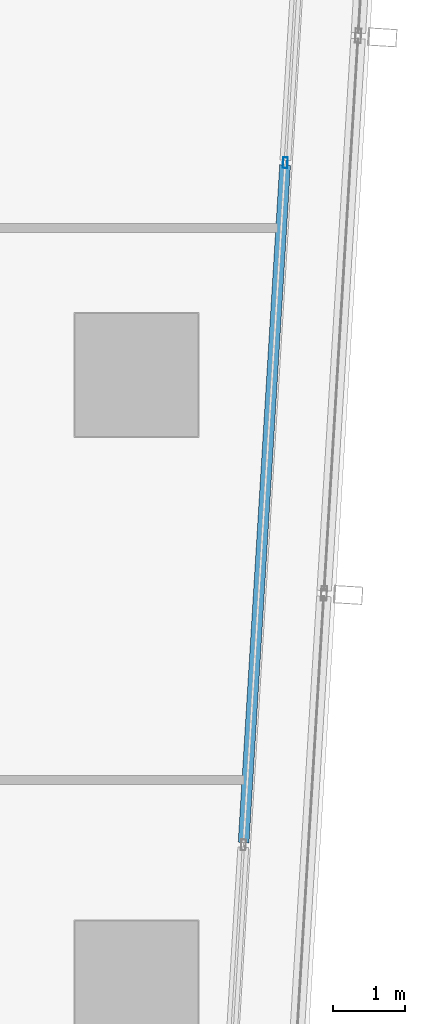
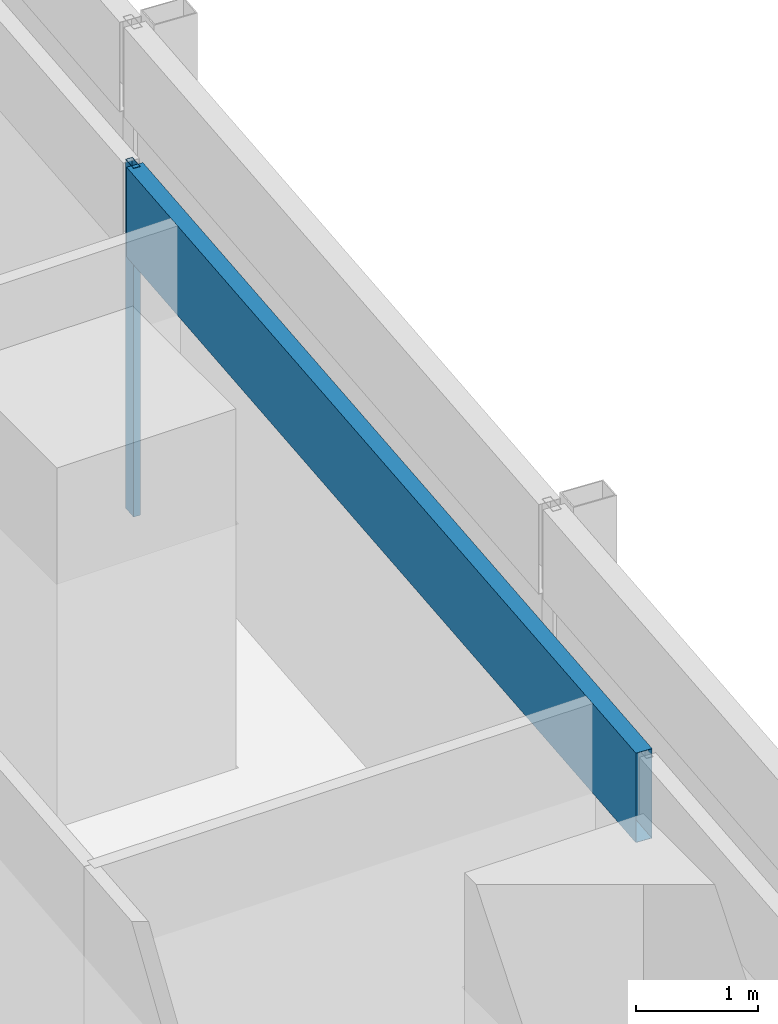
# One storey, part 11 of 38: 2 members, 1 element without a shape of its own.
"""IFC4 building model written with IfcOpenShell, lengths in metres."""

from ifc_helpers import new_model, si_unit, direction, frame, origin, origin_2d, place, context, subcontext, project, spatial, hollow_rectangle, extrude, material, material_profile, profile_set, type_object, element, aggregate, save


model = new_model("IFC4")

# Units and contexts
model_context = context("Model", 3, precision=1e-05, world=origin(), true_north=direction((0.0, 1.0)))
body_context = subcontext(model_context, "Body", "Model", "MODEL_VIEW")
ifc_project = project(units=[si_unit("LENGTHUNIT", "METRE"), si_unit("AREAUNIT", "SQUARE_METRE"), si_unit("VOLUMEUNIT", "CUBIC_METRE"), si_unit("PLANEANGLEUNIT", "RADIAN"), si_unit("MASSUNIT", "GRAM", prefix="KILO")], contexts=[model_context])

# Site, building, storey
site_placement = place(None, origin())
site = spatial("IfcSite", under=ifc_project, at=site_placement, CompositionType="ELEMENT")
building_placement = place(site_placement, origin())
building = spatial("IfcBuilding", under=site, at=building_placement, Name="Rekha Terrace Tower", CompositionType="ELEMENT")
storey_placement = place(building_placement, frame((0.0, 0.0, 114.050048828125)))
storey = spatial("IfcBuildingStorey", under=building, at=storey_placement, Name="L28", CompositionType="ELEMENT", Elevation=114.050048828125)

# Curtain wall, members
ifc_material_1 = material(Name="Aluminium framing", Category="aluminium")
curtain_wall_type = type_object("IfcCurtainWallType", Name="CW1 double skin inner glazing", PredefinedType="USERDEFINED", material=ifc_material_1)
curtain_wall_placement = place(storey_placement, origin())
curtain_wall = element("IfcCurtainWall", 1, at=curtain_wall_placement, inside=storey, type_object=curtain_wall_type, Name="CW1 double skin inner glazing", ObjectType="DOUBLE SKIN INNER GLAZING", PredefinedType="USERDEFINED")
ifc_material_2 = material(Name="Aluminium mullion section", Category="aluminium")
ifc_material_profile_1 = material_profile(ifc_material_2, hollow_rectangle(XDim=0.06494140625, YDim=0.14990234375, WallThickness=0.00390625, at=origin_2d()), Name="AL RHS 65x150")
ifc_profile_set_1 = profile_set([ifc_material_profile_1], Name="Aluminium mullion section")
member_type_1 = type_object("IfcMemberType", Name="CW1 mullion RHS 65 x 150", PredefinedType="MULLION", material=ifc_profile_set_1)
member_1_placement = place(storey_placement, frame((69.257568359375, 36.53662109375, 0.0), z_axis=(0.0, 0.0, 1.0), x_axis=(-0.998127987024, 0.061159803131, 0.0)))
member_1 = element("IfcMember", 2, at=member_1_placement, type_object=member_type_1, Name="CW1 mullion 3", PredefinedType="MULLION", context=body_context, shape_type="SweptSolid", body=[
    extrude(hollow_rectangle(XDim=0.06494140625, YDim=0.14990234375, WallThickness=0.00390625, at=origin_2d()), origin(), (0.0, 0.0, 1.0), 3.5),
])
ifc_material_3 = material(Name="Insulated aluminium spandrel box", Category="aluminium")
ifc_material_profile_2 = material_profile(ifc_material_3, hollow_rectangle(XDim=0.14990234375, YDim=0.89990234375, WallThickness=0.0029296875, at=origin_2d()), Name="AL SPANDREL BOX 150x900")
ifc_profile_set_2 = profile_set([ifc_material_profile_2], Name="Insulated aluminium spandrel box")
member_type_2 = type_object("IfcMemberType", Name="CW1 spandrel transom 150 x 900", PredefinedType="USERDEFINED", material=ifc_profile_set_2)
member_2_placement = place(storey_placement, frame((68.681640625, 27.13427734375, 3.050048828125), z_axis=(0.061141260248, 0.998129123057, 0.0), x_axis=(-0.998129123057, 0.061141260248, 0.0)))
member_2 = element("IfcMember", 3, at=member_2_placement, type_object=member_type_2, Name="CW1 spandrel transom 2", ObjectType="TRANSOM", PredefinedType="USERDEFINED", context=body_context, shape_type="SweptSolid", body=[
    extrude(hollow_rectangle(XDim=0.14990234375, YDim=0.89990234375, WallThickness=0.0029296875, at=origin_2d()), origin(), (0.0, 0.0, 1.0), 9.3876953125),
])
aggregate(curtain_wall, [member_1, member_2])

save(model, "model.ifc")
